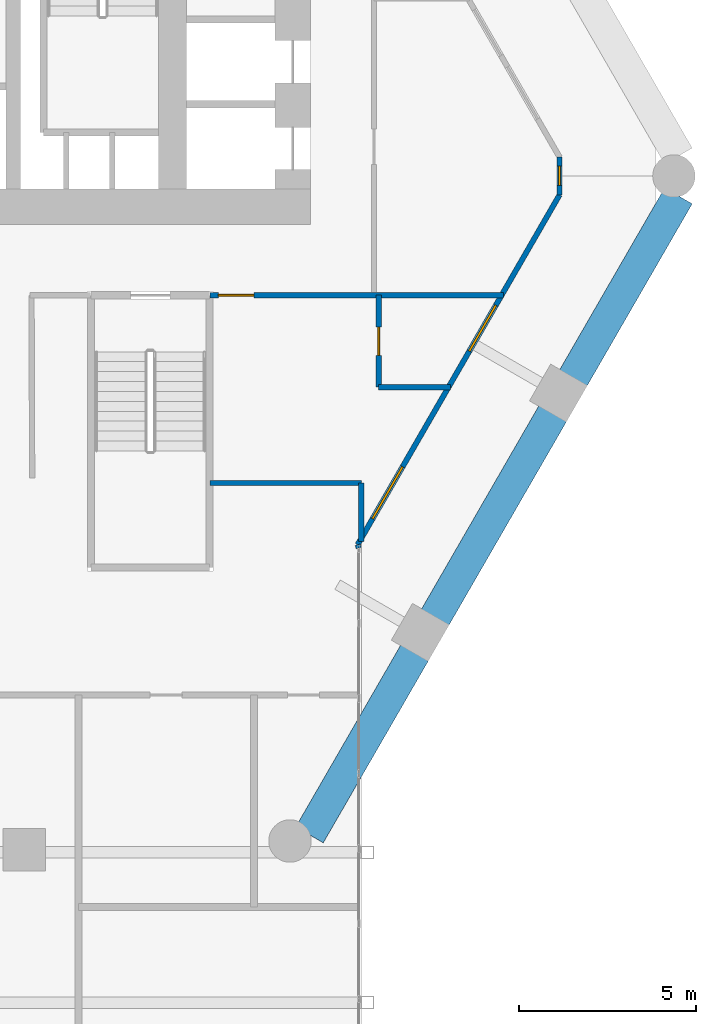
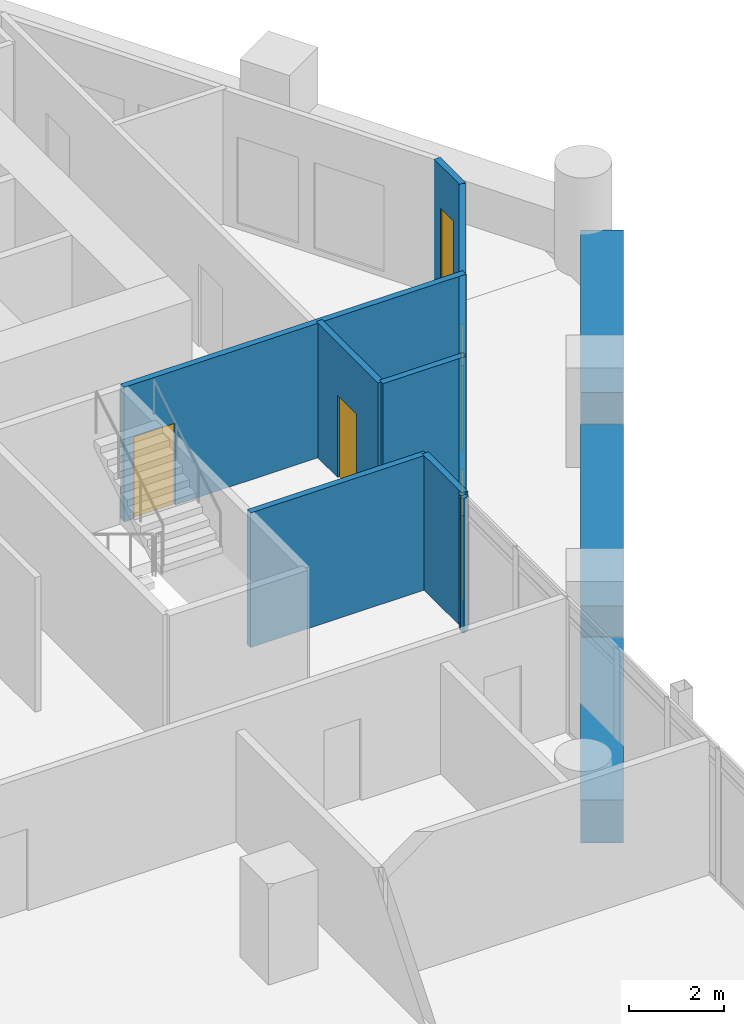
# One storey, part 24 of 28: 11 walls, 3 windows, 2 doors, 5 openings.
"""IFC4 building model written with IfcOpenShell, lengths in metres."""

from ifc_helpers import new_model, si_unit, direction, frame, frame_2d, origin, place, context, subcontext, project, spatial, rectangle, extrude, material, layer, layer_set, type_object, element, fill, save


model = new_model("IFC4")

# Units and contexts
model_context = context("Model", 3, precision=1e-05, world=origin(), true_north=direction((0.0, 1.0)))
body_context = subcontext(model_context, "Body", "Model", "MODEL_VIEW")
ifc_project = project(units=[si_unit("LENGTHUNIT", "METRE"), si_unit("AREAUNIT", "SQUARE_METRE"), si_unit("VOLUMEUNIT", "CUBIC_METRE"), si_unit("PLANEANGLEUNIT", "RADIAN"), si_unit("MASSUNIT", "GRAM", prefix="KILO")], contexts=[model_context])

# Site, building, storey
site_placement = place(None, origin())
site = spatial("IfcSite", under=ifc_project, at=site_placement, CompositionType="ELEMENT")
building_placement = place(site_placement, origin())
building = spatial("IfcBuilding", under=site, at=building_placement, Name="Ostrander Bayou Hotel Tower", CompositionType="ELEMENT")
storey_placement = place(building_placement, frame((0.0, 0.0, 104.25)))
storey = spatial("IfcBuildingStorey", under=building, at=storey_placement, Name="L26", CompositionType="ELEMENT", Elevation=104.25)

# Wall, openings, windows
ifc_material_1 = material(Name="Aluminium framed insulated wall", Category="aluminium")
ifc_layer_1 = layer(ifc_material_1, 0.14990234375)
ifc_layer_set_1 = layer_set([ifc_layer_1], Name="GW1 glass-line wall 150 mm")
wall_type_1 = type_object("IfcWallType", Name="GW1 glass-line wall 150 mm", PredefinedType="SOLIDWALL", material=ifc_layer_set_1)
wall_1_placement = place(storey_placement, frame((13.333984375, -10.7548828125, 0.0), z_axis=(0.0, 0.0, 1.0), x_axis=(0.499999897272, 0.866025463095, 0.0)))
wall_1 = element("IfcWall", 1, at=wall_1_placement, inside=storey, type_object=wall_type_1, Name="GW1 L26 SE 1", PredefinedType="SOLIDWALL", context=body_context, shape_type="SweptSolid", body=[
    extrude(rectangle(XDim=11.42578125, YDim=0.14990234375, at=frame_2d((5.712890625, 0.0))), origin(), (0.0, 0.0, 1.0), 3.449951171875),
])
opening_1_placement = place(wall_1_placement, frame((0.84716796875, 0.0, 0.14990234375)))
opening_1 = element("IfcOpeningElement", 2, at=opening_1_placement, cuts=wall_1, Name="Opening W8", PredefinedType="OPENING", context=body_context, shape_type="SweptSolid", body=[
    extrude(rectangle(XDim=1.699951171875, YDim=2.199951171875, at=frame_2d((0.85009765625, 1.10009765625))), frame((0.0, 0.074951171875, 0.0), z_axis=(0.0, -1.0, 0.0), x_axis=(1.0, 0.0, 0.0)), (0.0, 0.0, 1.0), 0.14990234375),
])
opening_2_placement = place(wall_1_placement, frame((6.322265625, 0.0, 0.14990234375)))
opening_2 = element("IfcOpeningElement", 3, at=opening_2_placement, cuts=wall_1, Name="Opening W12", PredefinedType="OPENING", context=body_context, shape_type="SweptSolid", body=[
    extrude(rectangle(XDim=1.5, YDim=2.199951171875, at=frame_2d((0.75, 1.10009765625))), frame((0.0, 0.074951171875, 0.0), z_axis=(0.0, -1.0, 0.0), x_axis=(1.0, 0.0, 0.0)), (0.0, 0.0, 1.0), 0.14990234375),
])
ifc_material_2 = material(Name="Aluminium and clear glass", Category="aluminium")
window_type_1 = type_object("IfcWindowType", Name="W12 fixed window 1500 mm, bath bay, zone 2", PartitioningType="SINGLE_PANEL", PredefinedType="WINDOW", material=ifc_material_2)
window_1_placement = place(opening_2_placement, origin())
window_1 = element("IfcWindow", 4, at=window_1_placement, inside=storey, type_object=window_type_1, Name="W12 L26 SE 3", OverallHeight=2.199951171875, OverallWidth=1.5, PartitioningType="SINGLE_PANEL", PredefinedType="WINDOW", context=body_context, shape_type="SweptSolid", body=[
    extrude(rectangle(XDim=1.5, YDim=2.199951171875, at=frame_2d((0.75, 1.10009765625))), frame((0.0, 0.030029296875, 0.0), z_axis=(0.0, -1.0, 0.0), x_axis=(1.0, 0.0, 0.0)), (0.0, 0.0, 1.0), 0.06005859375),
])
fill(opening_2, window_1)
ifc_material_3 = material(Name="Aluminium and clear glass", Category="aluminium")
window_type_2 = type_object("IfcWindowType", Name="W8 fixed window 1700 mm, bar storeys, zone 2", PartitioningType="SINGLE_PANEL", PredefinedType="WINDOW", material=ifc_material_3)
window_2_placement = place(opening_1_placement, origin())
window_2 = element("IfcWindow", 5, at=window_2_placement, inside=storey, type_object=window_type_2, Name="W8 L26 SE 2", OverallHeight=2.199951171875, OverallWidth=1.699951171875, PartitioningType="SINGLE_PANEL", PredefinedType="WINDOW", context=body_context, shape_type="SweptSolid", body=[
    extrude(rectangle(XDim=1.699951171875, YDim=2.199951171875, at=frame_2d((0.85009765625, 1.10009765625))), frame((0.0, 0.030029296875, 0.0), z_axis=(0.0, -1.0, 0.0), x_axis=(1.0, 0.0, 0.0)), (0.0, 0.0, 1.0), 0.06005859375),
])
fill(opening_1, window_2)

# Wall, opening, window
wall_2_placement = place(storey_placement, frame((19.046875, -0.85986328125, 0.0), z_axis=(0.0, 0.0, 1.0), x_axis=(0.0, 1.0, 0.0)))
wall_2 = element("IfcWall", 6, at=wall_2_placement, inside=storey, type_object=wall_type_1, Name="GW1 L26 corner 5", PredefinedType="SOLIDWALL", context=body_context, shape_type="SweptSolid", body=[
    extrude(rectangle(XDim=1.06494140625, YDim=0.14990234375, at=frame_2d((0.532470703125, 0.0))), origin(), (0.0, 0.0, 1.0), 3.449951171875),
])
opening_3_placement = place(wall_2_placement, frame((0.257568359375, 0.0, 0.14990234375)))
opening_3 = element("IfcOpeningElement", 7, at=opening_3_placement, cuts=wall_2, Name="Opening W19", PredefinedType="OPENING", context=body_context, shape_type="SweptSolid", body=[
    extrude(rectangle(XDim=0.550048828125, YDim=2.199951171875, at=frame_2d((0.27490234375, 1.10009765625))), frame((0.0, 0.074951171875, 0.0), z_axis=(0.0, -1.0, 0.0), x_axis=(1.0, 0.0, 0.0)), (0.0, 0.0, 1.0), 0.14990234375),
])
ifc_material_4 = material(Name="Aluminium and clear glass", Category="aluminium")
window_type_3 = type_object("IfcWindowType", Name="W19 corner window 550 mm", PartitioningType="SINGLE_PANEL", PredefinedType="WINDOW", material=ifc_material_4)
window_3_placement = place(opening_3_placement, origin())
window_3 = element("IfcWindow", 8, at=window_3_placement, inside=storey, type_object=window_type_3, Name="W19 L26 corner 5", OverallHeight=2.199951171875, OverallWidth=0.550048828125, PartitioningType="SINGLE_PANEL", PredefinedType="WINDOW", context=body_context, shape_type="SweptSolid", body=[
    extrude(rectangle(XDim=0.550048828125, YDim=2.199951171875, at=frame_2d((0.27490234375, 1.10009765625))), frame((0.0, 0.030029296875, 0.0), z_axis=(0.0, -1.0, 0.0), x_axis=(1.0, 0.0, 0.0)), (0.0, 0.0, 1.0), 0.06005859375),
])
fill(opening_3, window_3)

# Walls
wall_3_placement = place(storey_placement, frame((13.333984375, -10.7548828125, 0.0), z_axis=(0.0, 0.0, 1.0), x_axis=(0.337751931921, -0.941235163221, 0.0)))
element("IfcWall", 9, at=wall_3_placement, inside=storey, type_object=wall_type_1, Name="GW1 L26 bar joint 3", PredefinedType="SOLIDWALL", context=body_context, shape_type="SweptSolid", body=[
    extrude(rectangle(XDim=0.098388671875, YDim=0.14990234375, at=frame_2d((0.04931640625, 0.0))), origin(), (0.0, 0.0, 1.0), 3.449951171875),
])
ifc_material_5 = material(Name="Limestone masonry", Category="masonry")
ifc_layer_2 = layer(ifc_material_5, 0.89990234375)
ifc_layer_set_2 = layer_set([ifc_layer_2], Name="PA2 limestone parapet 900 mm")
wall_type_2 = type_object("IfcWallType", Name="PA2 limestone parapet 900 mm", PredefinedType="PARAPET", material=ifc_layer_set_2)
wall_4_placement = place(storey_placement, frame((11.974853515625, -18.958984375, 0.0), z_axis=(0.0, 0.0, 1.0), x_axis=(0.499988630717, 0.866031967744, 0.0)))
element("IfcWall", 10, at=wall_4_placement, inside=storey, type_object=wall_type_2, Name="PA2 L26 SE-1", PredefinedType="PARAPET", context=body_context, shape_type="SweptSolid", body=[
    extrude(rectangle(XDim=5.954833984375, YDim=0.89990234375, at=frame_2d((2.9775390625, 0.0))), origin(), (0.0, 0.0, 1.0), 1.10009765625),
])
wall_5_placement = place(storey_placement, frame((15.522216796875, -12.814697265625, 0.0), z_axis=(0.0, 0.0, 1.0), x_axis=(0.499999023957, 0.866025967302, 0.0)))
element("IfcWall", 11, at=wall_5_placement, inside=storey, type_object=wall_type_2, Name="PA2 L26 SE-2", PredefinedType="PARAPET", context=body_context, shape_type="SweptSolid", body=[
    extrude(rectangle(XDim=6.67333984375, YDim=0.89990234375, at=frame_2d((3.336669921875, 0.0))), origin(), (0.0, 0.0, 1.0), 1.10009765625),
])
wall_6_placement = place(storey_placement, frame((19.428955078125, -6.048095703125, 0.0), z_axis=(0.0, 0.0, 1.0), x_axis=(0.500001626982, 0.866024464444, 0.0)))
element("IfcWall", 12, at=wall_6_placement, inside=storey, type_object=wall_type_2, Name="PA2 L26 SE-3", PredefinedType="PARAPET", context=body_context, shape_type="SweptSolid", body=[
    extrude(rectangle(XDim=5.955078125, YDim=0.89990234375, at=frame_2d((2.9775390625, 0.0))), origin(), (0.0, 0.0, 1.0), 1.10009765625),
])
ifc_material_6 = material(Name="Gypsum board partition", Category="finish")
ifc_layer_3 = layer(ifc_material_6, 0.14990234375)
ifc_layer_set_3 = layer_set([ifc_layer_3], Name="PT8 service band wall 150 mm, 1 hour")
wall_type_3 = type_object("IfcWallType", Name="PT8 service band wall 150 mm, 1 hour", PredefinedType="PARTITIONING", material=ifc_layer_set_3)
wall_7_placement = place(storey_placement, frame((9.159912109375, -9.010009765625, 0.0), z_axis=(0.0, 0.0, 1.0), x_axis=(1.0, 0.0, 0.0)))
element("IfcWall", 13, at=wall_7_placement, inside=storey, type_object=wall_type_3, Name="gw:L26:003", PredefinedType="PARTITIONING", context=body_context, shape_type="SweptSolid", body=[
    extrude(rectangle(XDim=4.280029296875, YDim=0.14990234375, at=frame_2d((2.14013671875, 0.0))), origin(), (0.0, 0.0, 1.0), 3.449951171875),
])
wall_8_placement = place(storey_placement, frame((13.929931640625, -6.300048828125, 0.0), z_axis=(0.0, 0.0, 1.0), x_axis=(1.0, 0.0, 0.0)))
element("IfcWall", 14, at=wall_8_placement, inside=storey, type_object=wall_type_3, Name="gw:L26:006", PredefinedType="PARTITIONING", context=body_context, shape_type="SweptSolid", body=[
    extrude(rectangle(XDim=2.028076171875, YDim=0.14990234375, at=frame_2d((1.01416015625, 0.0))), origin(), (0.0, 0.0, 1.0), 3.449951171875),
])

# Wall, opening, door
wall_9_placement = place(storey_placement, frame((9.159912109375, -3.699951171875, 0.0), z_axis=(0.0, 0.0, 1.0), x_axis=(1.0, 0.0, 0.0)))
wall_9 = element("IfcWall", 15, at=wall_9_placement, inside=storey, type_object=wall_type_3, Name="gw:L26:010", PredefinedType="PARTITIONING", context=body_context, shape_type="SweptSolid", body=[
    extrude(rectangle(XDim=8.299072265625, YDim=0.14990234375, at=frame_2d((4.1494140625, 0.0))), origin(), (0.0, 0.0, 1.0), 3.449951171875),
])
opening_4_placement = place(wall_9_placement, frame((0.239990234375, 0.0, 0.0)))
opening_4 = element("IfcOpeningElement", 16, at=opening_4_placement, cuts=wall_9, Name="Opening T25-406", PredefinedType="OPENING", context=body_context, shape_type="SweptSolid", body=[
    extrude(rectangle(XDim=1.0, YDim=2.10009765625, at=frame_2d((0.5, 1.050048828125))), frame((0.0, 0.074951171875, 0.0), z_axis=(0.0, -1.0, 0.0), x_axis=(1.0, 0.0, 0.0)), (0.0, 0.0, 1.0), 0.14990234375),
])
ifc_material_7 = material(Name="Timber door leaf", Category="wood")
door_type_1 = type_object("IfcDoorType", Name="D1 guest room door 1000 x 2100 mm, 30 minute", OperationType="SINGLE_SWING_LEFT", PredefinedType="DOOR", material=ifc_material_7)
door_1_placement = place(opening_4_placement, origin())
door_1 = element("IfcDoor", 17, at=door_1_placement, inside=storey, type_object=door_type_1, Name="dr:L26:406", OperationType="SINGLE_SWING_LEFT", OverallHeight=2.10009765625, OverallWidth=1.0, PredefinedType="DOOR", context=body_context, shape_type="SweptSolid", body=[
    extrude(rectangle(XDim=1.0, YDim=2.10009765625, at=frame_2d((0.5, 1.050048828125))), frame((0.0, 0.02490234375, 0.0), z_axis=(0.0, -1.0, 0.0), x_axis=(1.0, 0.0, 0.0)), (0.0, 0.0, 1.0), 0.050048828125),
])
fill(opening_4, door_1)

wall_10_placement = place(storey_placement, frame((13.929931640625, -6.300048828125, 0.0), z_axis=(0.0, 0.0, 1.0), x_axis=(0.0, 1.0, 0.0)))
wall_10 = element("IfcWall", 18, at=wall_10_placement, inside=storey, type_object=wall_type_3, Name="gw:L26:015", PredefinedType="PARTITIONING", context=body_context, shape_type="SweptSolid", body=[
    extrude(rectangle(XDim=2.60009765625, YDim=0.14990234375, at=frame_2d((1.300048828125, 0.0))), origin(), (0.0, 0.0, 1.0), 3.449951171875),
])
opening_5_placement = place(wall_10_placement, frame((0.89990234375, 0.0, 0.0)))
opening_5 = element("IfcOpeningElement", 19, at=opening_5_placement, cuts=wall_10, Name="Opening T25-407", PredefinedType="OPENING", context=body_context, shape_type="SweptSolid", body=[
    extrude(rectangle(XDim=0.800048828125, YDim=2.10009765625, at=frame_2d((0.39990234375, 1.050048828125))), frame((0.0, 0.074951171875, 0.0), z_axis=(0.0, -1.0, 0.0), x_axis=(1.0, 0.0, 0.0)), (0.0, 0.0, 1.0), 0.14990234375),
])
ifc_material_8 = material(Name="Timber door leaf", Category="wood")
door_type_2 = type_object("IfcDoorType", Name="D2 bathroom door 800 x 2100 mm", OperationType="SINGLE_SWING_LEFT", PredefinedType="DOOR", material=ifc_material_8)
door_2_placement = place(opening_5_placement, origin())
door_2 = element("IfcDoor", 20, at=door_2_placement, inside=storey, type_object=door_type_2, Name="dr:L26:407", OperationType="SINGLE_SWING_RIGHT", OverallHeight=2.10009765625, OverallWidth=0.800048828125, PredefinedType="DOOR", context=body_context, shape_type="SweptSolid", body=[
    extrude(rectangle(XDim=0.800048828125, YDim=2.10009765625, at=frame_2d((0.39990234375, 1.050048828125))), frame((0.0, 0.02490234375, 0.0), z_axis=(0.0, -1.0, 0.0), x_axis=(1.0, 0.0, 0.0)), (0.0, 0.0, 1.0), 0.050048828125),
])
fill(opening_5, door_2)

# Wall
wall_11_placement = place(storey_placement, frame((13.43994140625, -10.660888671875, 0.0), z_axis=(0.0, 0.0, 1.0), x_axis=(0.0, 1.0, 0.0)))
element("IfcWall", 21, at=wall_11_placement, inside=storey, type_object=wall_type_3, Name="gw:L26:017", PredefinedType="PARTITIONING", context=body_context, shape_type="SweptSolid", body=[
    extrude(rectangle(XDim=1.65087890625, YDim=0.14990234375, at=frame_2d((0.825439453125, 0.0))), origin(), (0.0, 0.0, 1.0), 3.449951171875),
])

save(model, "model.ifc")
